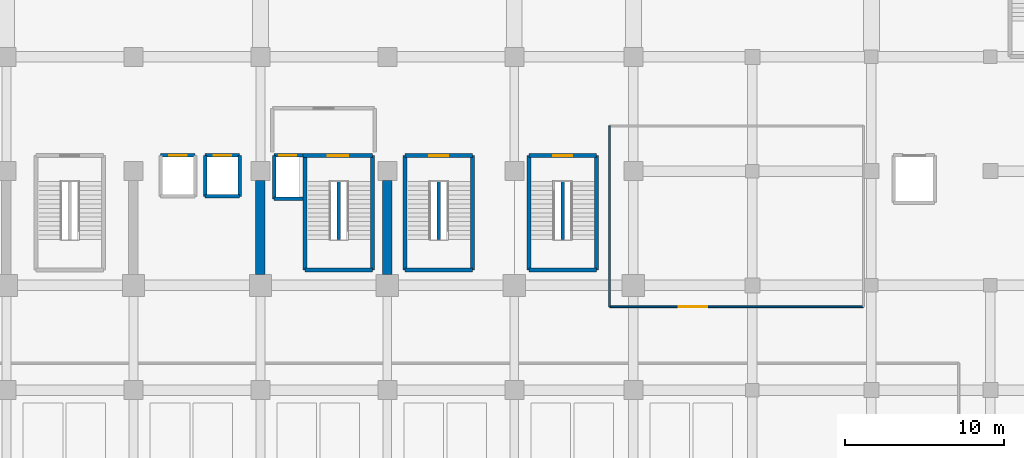
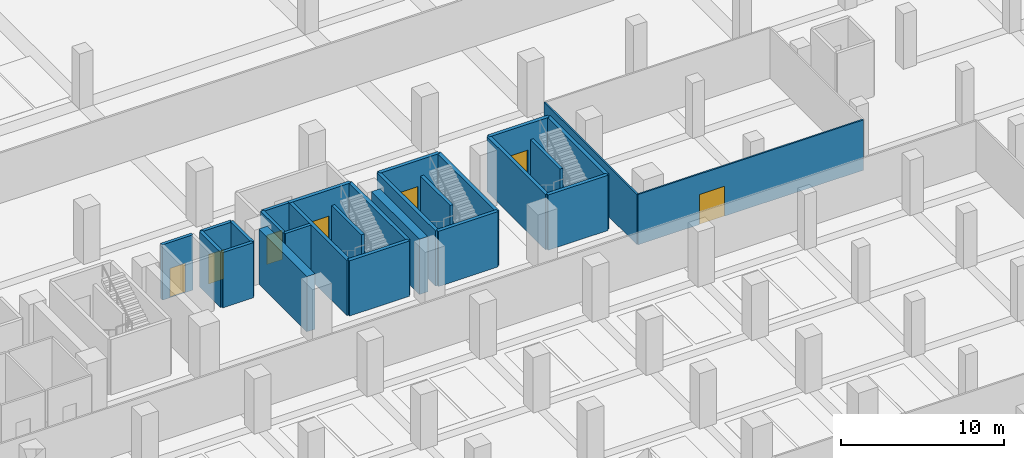
# One storey, part 11 of 25: 27 walls, 7 doors, 7 openings.
"""IFC4 building model written with IfcOpenShell, lengths in metres."""

from ifc_helpers import new_model, si_unit, direction, frame, frame_2d, origin, place, context, subcontext, project, spatial, rectangle, extrude, material, layer, layer_set, type_object, element, fill, save


model = new_model("IFC4")

# Units and contexts
model_context = context("Model", 3, precision=1e-05, world=origin(), true_north=direction((0.0, 1.0)))
body_context = subcontext(model_context, "Body", "Model", "MODEL_VIEW")
ifc_project = project(units=[si_unit("LENGTHUNIT", "METRE"), si_unit("AREAUNIT", "SQUARE_METRE"), si_unit("VOLUMEUNIT", "CUBIC_METRE"), si_unit("PLANEANGLEUNIT", "RADIAN"), si_unit("MASSUNIT", "GRAM", prefix="KILO")], contexts=[model_context])

# Site, building, storey
site_placement = place(None, origin())
site = spatial("IfcSite", under=ifc_project, at=site_placement, CompositionType="ELEMENT")
building_placement = place(site_placement, origin())
building = spatial("IfcBuilding", under=site, at=building_placement, Name="Akrevak Sports Hall", CompositionType="ELEMENT")
storey_placement = place(building_placement, frame((0.0, 0.0, -4.5)))
storey = spatial("IfcBuildingStorey", under=building, at=storey_placement, Name="B01", CompositionType="ELEMENT", Elevation=-4.5)

# Wall, opening, door
ifc_material_1 = material(Name="Lightweight Office Partition", Category="gypsum")
ifc_layer_1 = layer(ifc_material_1, 0.110107421875, Name="Lightweight Office Partition")
ifc_layer_set_1 = layer_set([ifc_layer_1], Name="Lightweight Office Partition")
wall_type_1 = type_object("IfcWallType", Name="ARC-WL-PRT-110", PredefinedType="PARTITIONING", material=ifc_layer_set_1)
wall_1_placement = place(storey_placement, frame((114.0, 53.85009765625, 0.0), z_axis=(0.0, 0.0, 1.0), x_axis=(1.0, 0.0, 0.0)))
wall_1 = element("IfcWall", 1, at=wall_1_placement, inside=storey, type_object=wall_type_1, Name="Interior Partition Athletic Gear & Equipment Storage B01 (S)", PredefinedType="PARTITIONING", context=body_context, shape_type="SweptSolid", body=[
    extrude(rectangle(XDim=16.0, YDim=0.110107421875, at=frame_2d((8.0, 0.0))), origin(), (0.0, 0.0, 1.0), 3.780029296875),
])
opening_1_placement = place(wall_1_placement, frame((4.35009765625, 0.0, 0.0)))
opening_1 = element("IfcOpeningElement", 2, at=opening_1_placement, cuts=wall_1, Name="Opening ID-02", PredefinedType="OPENING", context=body_context, shape_type="SweptSolid", body=[
    extrude(rectangle(XDim=1.800048828125, YDim=2.25, at=frame_2d((0.89990234375, 1.125))), frame((0.0, 0.06689453125, 0.0), z_axis=(0.0, -1.0, 0.0), x_axis=(1.0, 0.0, 0.0)), (0.0, 0.0, 1.0), 0.134033203125),
])
ifc_material_2 = material(Name="Hardwood Oak & Safety Glass", Category="wood")
door_type_1 = type_object("IfcDoorType", Name="ARC-DR-HALL-180x225", OperationType="DOUBLE_DOOR_SINGLE_SWING", PredefinedType="DOOR", material=ifc_material_2)
door_1_placement = place(opening_1_placement, origin())
door_1 = element("IfcDoor", 3, at=door_1_placement, inside=storey, type_object=door_type_1, Name="Door to Athletic Gear & Equipment Storage B01", OperationType="DOUBLE_DOOR_SINGLE_SWING", OverallHeight=2.25, OverallWidth=1.800048828125, PredefinedType="DOOR", context=body_context, shape_type="SweptSolid", body=[
    extrude(rectangle(XDim=1.800048828125, YDim=2.25, at=frame_2d((0.89990234375, 1.125))), frame((0.0, 0.02490234375, 0.0), z_axis=(0.0, -1.0, 0.0), x_axis=(1.0, 0.0, 0.0)), (0.0, 0.0, 1.0), 0.050048828125),
])
fill(opening_1, door_1)

# Walls
wall_2_placement = place(storey_placement, frame((114.0, 53.85009765625, 0.0), z_axis=(0.0, 0.0, 1.0), x_axis=(0.0, 1.0, 0.0)))
element("IfcWall", 4, at=wall_2_placement, inside=storey, type_object=wall_type_1, Name="Interior Partition Athletic Gear & Equipment Storage B01 (W)", PredefinedType="PARTITIONING", context=body_context, shape_type="SweptSolid", body=[
    extrude(rectangle(XDim=11.39990234375, YDim=0.110107421875, at=frame_2d((5.699951171875, 0.0))), origin(), (0.0, 0.0, 1.0), 3.780029296875),
])
ifc_material_3 = material(Name="Concrete C40/50", Category="concrete")
ifc_layer_2 = layer(ifc_material_3, 0.219970703125, Name="Concrete C40/50")
ifc_layer_set_2 = layer_set([ifc_layer_2], Name="Concrete C40/50")
wall_type_2 = type_object("IfcWallType", Name="ARC-WL-PRT-220", PredefinedType="PARTITIONING", material=ifc_layer_set_2)
for number, where, z_axis, x_axis, name in (
    (5, (96.949951171875, 58.094970703125, 0.0), (0.0, 0.0, 1.0), (0.0, 1.0, 0.0), "Stair ST2 Central Spine Wall (B01)"),
    (6, (103.25, 58.094970703125, 0.0), (0.0, 0.0, 1.0), (0.0, 1.0, 0.0), "Stair ST10 Central Spine Wall (B01)"),
    (7, (111.050048828125, 58.094970703125, 0.0), (0.0, 0.0, 1.0), (0.0, 1.0, 0.0), "Stair ST11 Central Spine Wall (B01)"),
):
    element("IfcWall", number, at=place(storey_placement, frame(where, z_axis=z_axis, x_axis=x_axis)), inside=storey, type_object=wall_type_2, Name=name, PredefinedType="PARTITIONING", context=body_context, shape_type="SweptSolid", body=[
        extrude(rectangle(XDim=3.64013671875, YDim=0.219970703125, at=frame_2d((1.820068359375, 0.0))), origin(), (0.0, 0.0, 1.0), 4.14990234375),
    ])
ifc_material_4 = material(Name="Concrete C50/60", Category="concrete")
ifc_layer_3 = layer(ifc_material_4, 0.219970703125, Name="Concrete C50/60")
ifc_layer_set_3 = layer_set([ifc_layer_3], Name="Concrete C50/60")
wall_type_3 = type_object("IfcWallType", Name="ARC-WL-SHAFT-220", PredefinedType="SHEAR", material=ifc_layer_set_3)
wall_3_placement = place(storey_placement, frame((92.860107421875, 60.659912109375, 0.0), z_axis=(0.0, 0.0, 1.0), x_axis=(1.0, 0.0, 0.0)))
element("IfcWall", 8, at=wall_3_placement, inside=storey, type_object=wall_type_3, Name="Lift Shaft LF-FF2 Wall S (B01)", PredefinedType="SHEAR", context=body_context, shape_type="SweptSolid", body=[
    extrude(rectangle(XDim=1.83984375, YDim=0.219970703125, at=frame_2d((0.919921875, 0.0))), origin(), (0.0, 0.0, 1.0), 4.14990234375),
])

# Wall, opening, door
wall_4_placement = place(storey_placement, frame((94.699951171875, 63.389892578125, 0.0), z_axis=(0.0, 0.0, 1.0), x_axis=(-1.0, 0.0, 0.0)))
wall_4 = element("IfcWall", 9, at=wall_4_placement, inside=storey, type_object=wall_type_3, Name="Lift Shaft LF-FF2 Wall N (B01)", PredefinedType="SHEAR", context=body_context, shape_type="SweptSolid", body=[
    extrude(rectangle(XDim=1.83984375, YDim=0.219970703125, at=frame_2d((0.919921875, 0.0))), origin(), (0.0, 0.0, 1.0), 4.14990234375),
])
opening_2_placement = place(wall_4_placement, frame((0.425048828125, 0.0, 0.0)))
opening_2 = element("IfcOpeningElement", 10, at=opening_2_placement, cuts=wall_4, Name="Opening LD-01", PredefinedType="OPENING", context=body_context, shape_type="SweptSolid", body=[
    extrude(rectangle(XDim=1.10009765625, YDim=2.199951171875, at=frame_2d((0.550048828125, 1.10009765625))), frame((0.0, 0.1220703125, 0.0), z_axis=(0.0, -1.0, 0.0), x_axis=(1.0, 0.0, 0.0)), (0.0, 0.0, 1.0), 0.243896484375),
])
ifc_material_5 = material(Name="Brushed Stainless Steel 304", Category="steel")
door_type_2 = type_object("IfcDoorType", Name="ARC-DR-LD-110x220", OperationType="SLIDING_TO_LEFT", PredefinedType="DOOR", material=ifc_material_5)
door_2_placement = place(opening_2_placement, origin())
door_2 = element("IfcDoor", 11, at=door_2_placement, inside=storey, type_object=door_type_2, Name="Lift LF-FF2 Sliding Landing Door (B01)", OperationType="SLIDING_TO_RIGHT", OverallHeight=2.199951171875, OverallWidth=1.10009765625, PredefinedType="DOOR", context=body_context, shape_type="SweptSolid", body=[
    extrude(rectangle(XDim=1.10009765625, YDim=2.199951171875, at=frame_2d((0.550048828125, 1.10009765625))), frame((0.0, 0.02490234375, 0.0), z_axis=(0.0, -1.0, 0.0), x_axis=(1.0, 0.0, 0.0)), (0.0, 0.0, 1.0), 0.050048828125),
])
fill(opening_2, door_2)

# Wall
wall_5_placement = place(storey_placement, frame((92.860107421875, 63.389892578125, 0.0), z_axis=(0.0, 0.0, 1.0), x_axis=(0.0, -1.0, 0.0)))
element("IfcWall", 12, at=wall_5_placement, inside=storey, type_object=wall_type_3, Name="Lift Shaft LF-FF2 Wall W (B01)", PredefinedType="SHEAR", context=body_context, shape_type="SweptSolid", body=[
    extrude(rectangle(XDim=2.72998046875, YDim=0.219970703125, at=frame_2d((1.364990234375, 0.0))), origin(), (0.0, 0.0, 1.0), 4.14990234375),
])

# Wall, opening, door
wall_6_placement = place(storey_placement, frame((87.889892578125, 63.389892578125, 0.0), z_axis=(0.0, 0.0, 1.0), x_axis=(-1.0, 0.0, 0.0)))
wall_6 = element("IfcWall", 13, at=wall_6_placement, inside=storey, type_object=wall_type_3, Name="Lift Shaft LF-P3 Wall N (B01)", PredefinedType="SHEAR", context=body_context, shape_type="SweptSolid", body=[
    extrude(rectangle(XDim=2.179931640625, YDim=0.219970703125, at=frame_2d((1.08984375, 0.0))), origin(), (0.0, 0.0, 1.0), 4.14990234375),
])
opening_3_placement = place(wall_6_placement, frame((0.5400390625, 0.0, 0.0)))
opening_3 = element("IfcOpeningElement", 14, at=opening_3_placement, cuts=wall_6, Name="Opening LD-01", PredefinedType="OPENING", context=body_context, shape_type="SweptSolid", body=[
    extrude(rectangle(XDim=1.10009765625, YDim=2.199951171875, at=frame_2d((0.550048828125, 1.10009765625))), frame((0.0, 0.1220703125, 0.0), z_axis=(0.0, -1.0, 0.0), x_axis=(1.0, 0.0, 0.0)), (0.0, 0.0, 1.0), 0.243896484375),
])
door_3_placement = place(opening_3_placement, origin())
door_3 = element("IfcDoor", 15, at=door_3_placement, inside=storey, type_object=door_type_2, Name="Lift LF-P3 Sliding Landing Door (B01)", OperationType="SLIDING_TO_RIGHT", OverallHeight=2.199951171875, OverallWidth=1.10009765625, PredefinedType="DOOR", context=body_context, shape_type="SweptSolid", body=[
    extrude(rectangle(XDim=1.10009765625, YDim=2.199951171875, at=frame_2d((0.550048828125, 1.10009765625))), frame((0.0, 0.02490234375, 0.0), z_axis=(0.0, -1.0, 0.0), x_axis=(1.0, 0.0, 0.0)), (0.0, 0.0, 1.0), 0.050048828125),
])
fill(opening_3, door_3)

# Wall
wall_7_placement = place(storey_placement, frame((88.510009765625, 60.81005859375, 0.0), z_axis=(0.0, 0.0, 1.0), x_axis=(1.0, 0.0, 0.0)))
element("IfcWall", 16, at=wall_7_placement, inside=storey, type_object=wall_type_3, Name="Lift Shaft LF-P4 Wall S (B01)", PredefinedType="SHEAR", context=body_context, shape_type="SweptSolid", body=[
    extrude(rectangle(XDim=2.179931640625, YDim=0.219970703125, at=frame_2d((1.08984375, 0.0))), origin(), (0.0, 0.0, 1.0), 4.14990234375),
])

# Wall, opening, door
wall_8_placement = place(storey_placement, frame((90.68994140625, 63.389892578125, 0.0), z_axis=(0.0, 0.0, 1.0), x_axis=(-1.0, 0.0, 0.0)))
wall_8 = element("IfcWall", 17, at=wall_8_placement, inside=storey, type_object=wall_type_3, Name="Lift Shaft LF-P4 Wall N (B01)", PredefinedType="SHEAR", context=body_context, shape_type="SweptSolid", body=[
    extrude(rectangle(XDim=2.179931640625, YDim=0.219970703125, at=frame_2d((1.08984375, 0.0))), origin(), (0.0, 0.0, 1.0), 4.14990234375),
])
opening_4_placement = place(wall_8_placement, frame((0.5400390625, 0.0, 0.0)))
opening_4 = element("IfcOpeningElement", 18, at=opening_4_placement, cuts=wall_8, Name="Opening LD-01", PredefinedType="OPENING", context=body_context, shape_type="SweptSolid", body=[
    extrude(rectangle(XDim=1.10009765625, YDim=2.199951171875, at=frame_2d((0.550048828125, 1.10009765625))), frame((0.0, 0.1220703125, 0.0), z_axis=(0.0, -1.0, 0.0), x_axis=(1.0, 0.0, 0.0)), (0.0, 0.0, 1.0), 0.243896484375),
])
door_4_placement = place(opening_4_placement, origin())
door_4 = element("IfcDoor", 19, at=door_4_placement, inside=storey, type_object=door_type_2, Name="Lift LF-P4 Sliding Landing Door (B01)", OperationType="SLIDING_TO_RIGHT", OverallHeight=2.199951171875, OverallWidth=1.10009765625, PredefinedType="DOOR", context=body_context, shape_type="SweptSolid", body=[
    extrude(rectangle(XDim=1.10009765625, YDim=2.199951171875, at=frame_2d((0.550048828125, 1.10009765625))), frame((0.0, 0.02490234375, 0.0), z_axis=(0.0, -1.0, 0.0), x_axis=(1.0, 0.0, 0.0)), (0.0, 0.0, 1.0), 0.050048828125),
])
fill(opening_4, door_4)

# Walls
for number, where, z_axis, x_axis, name in (
    (20, (88.510009765625, 63.389892578125, 0.0), (0.0, 0.0, 1.0), (0.0, -1.0, 0.0), "Lift Shaft LF-P4 Wall W (B01)"),
    (21, (90.68994140625, 60.81005859375, 0.0), (0.0, 0.0, 1.0), (0.0, 1.0, 0.0), "Lift Shaft LF-P4 Wall E (B01)"),
):
    element("IfcWall", number, at=place(storey_placement, frame(where, z_axis=z_axis, x_axis=x_axis)), inside=storey, type_object=wall_type_3, Name=name, PredefinedType="SHEAR", context=body_context, shape_type="SweptSolid", body=[
        extrude(rectangle(XDim=2.579833984375, YDim=0.219970703125, at=frame_2d((1.2900390625, 0.0))), origin(), (0.0, 0.0, 1.0), 4.14990234375),
    ])
ifc_layer_4 = layer(ifc_material_4, 0.60009765625, Name="Concrete C50/60")
ifc_layer_set_4 = layer_set([ifc_layer_4], Name="Concrete C50/60")
wall_type_4 = type_object("IfcWallType", Name="STR-WL-CORE-600", PredefinedType="SHEAR", material=ifc_layer_set_4)
for number, where, z_axis, x_axis, name in (
    (22, (92.0, 55.89990234375, 0.0), (0.0, 0.0, 1.0), (0.0, 1.0, 0.0), "Reinforced Concrete Shear Wall SW-E1 (B01)"),
    (23, (100.0, 55.89990234375, 0.0), (0.0, 0.0, 1.0), (0.0, 1.0, 0.0), "Reinforced Concrete Shear Wall SW-E2 (B01)"),
):
    element("IfcWall", number, at=place(storey_placement, frame(where, z_axis=z_axis, x_axis=x_axis)), inside=storey, type_object=wall_type_4, Name=name, PredefinedType="SHEAR", context=body_context, shape_type="SweptSolid", body=[
        extrude(rectangle(XDim=5.900146484375, YDim=0.60009765625, at=frame_2d((2.9501953125, 0.0))), origin(), (0.0, 0.0, 1.0), 4.14990234375),
    ])
ifc_layer_5 = layer(ifc_material_4, 0.25, Name="Concrete C50/60")
ifc_layer_set_5 = layer_set([ifc_layer_5], Name="Concrete C50/60")
wall_type_5 = type_object("IfcWallType", Name="STR-WL-STAIR-250", PredefinedType="SHEAR", material=ifc_layer_set_5)
wall_9_placement = place(storey_placement, frame((94.824951171875, 56.175048828125, 0.0), z_axis=(0.0, 0.0, 1.0), x_axis=(1.0, 0.0, 0.0)))
element("IfcWall", 24, at=wall_9_placement, inside=storey, type_object=wall_type_5, Name="Stair Core ST2 Shear Wall S (B01)", PredefinedType="SHEAR", context=body_context, shape_type="SweptSolid", body=[
    extrude(rectangle(XDim=4.25, YDim=0.25, at=frame_2d((2.125, 0.0))), origin(), (0.0, 0.0, 1.0), 4.14990234375),
])

# Wall, opening, door
wall_10_placement = place(storey_placement, frame((99.074951171875, 63.375, 0.0), z_axis=(0.0, 0.0, 1.0), x_axis=(-1.0, 0.0, 0.0)))
wall_10 = element("IfcWall", 25, at=wall_10_placement, inside=storey, type_object=wall_type_5, Name="Stair Core ST2 Shear Wall N (B01)", PredefinedType="SHEAR", context=body_context, shape_type="SweptSolid", body=[
    extrude(rectangle(XDim=4.375, YDim=0.25, at=frame_2d((2.1875, 0.0))), origin(), (0.0, 0.0, 1.0), 4.14990234375),
])
opening_5_placement = place(wall_10_placement, frame((1.53759765625, 0.0, 0.0)))
opening_5 = element("IfcOpeningElement", 26, at=opening_5_placement, cuts=wall_10, Name="Opening SD-01", PredefinedType="OPENING", context=body_context, shape_type="SweptSolid", body=[
    extrude(rectangle(XDim=1.300048828125, YDim=2.199951171875, at=frame_2d((0.64990234375, 1.10009765625))), frame((0.0, 0.136962890625, 0.0), z_axis=(0.0, -1.0, 0.0), x_axis=(1.0, 0.0, 0.0)), (0.0, 0.0, 1.0), 0.27392578125),
])
ifc_material_6 = material(Name="Fire-Rated Galvanized Door Steel", Category="steel")
door_type_3 = type_object("IfcDoorType", Name="ARC-DR-STAIR-130x220", OperationType="NOTDEFINED", PredefinedType="DOOR", material=ifc_material_6)
door_5_placement = place(opening_5_placement, origin())
door_5 = element("IfcDoor", 27, at=door_5_placement, inside=storey, type_object=door_type_3, Name="Exit Stair ST2 Door (B01)", OperationType="SINGLE_SWING_RIGHT", OverallHeight=2.199951171875, OverallWidth=1.300048828125, PredefinedType="DOOR", context=body_context, shape_type="SweptSolid", body=[
    extrude(rectangle(XDim=1.300048828125, YDim=2.199951171875, at=frame_2d((0.64990234375, 1.10009765625))), frame((0.0, 0.02490234375, 0.0), z_axis=(0.0, -1.0, 0.0), x_axis=(1.0, 0.0, 0.0)), (0.0, 0.0, 1.0), 0.050048828125),
])
fill(opening_5, door_5)

# Walls
wall_11_placement = place(storey_placement, frame((94.824951171875, 63.25, 0.0), z_axis=(0.0, 0.0, 1.0), x_axis=(0.0, -1.0, 0.0)))
element("IfcWall", 28, at=wall_11_placement, inside=storey, type_object=wall_type_5, Name="Stair Core ST2 Shear Wall W (B01)", PredefinedType="SHEAR", context=body_context, shape_type="SweptSolid", body=[
    extrude(rectangle(XDim=7.074951171875, YDim=0.25, at=frame_2d((3.53759765625, 0.0))), origin(), (0.0, 0.0, 1.0), 4.14990234375),
])
wall_12_placement = place(storey_placement, frame((99.074951171875, 56.175048828125, 0.0), z_axis=(0.0, 0.0, 1.0), x_axis=(0.0, 1.0, 0.0)))
element("IfcWall", 29, at=wall_12_placement, inside=storey, type_object=wall_type_5, Name="Stair Core ST2 Shear Wall E (B01)", PredefinedType="SHEAR", context=body_context, shape_type="SweptSolid", body=[
    extrude(rectangle(XDim=7.199951171875, YDim=0.25, at=frame_2d((3.60009765625, 0.0))), origin(), (0.0, 0.0, 1.0), 4.14990234375),
])
wall_13_placement = place(storey_placement, frame((101.125, 56.175048828125, 0.0), z_axis=(0.0, 0.0, 1.0), x_axis=(1.0, 0.0, 0.0)))
element("IfcWall", 30, at=wall_13_placement, inside=storey, type_object=wall_type_5, Name="Stair Core ST10 Shear Wall S (B01)", PredefinedType="SHEAR", context=body_context, shape_type="SweptSolid", body=[
    extrude(rectangle(XDim=4.25, YDim=0.25, at=frame_2d((2.125, 0.0))), origin(), (0.0, 0.0, 1.0), 4.14990234375),
])

# Wall, opening, door
wall_14_placement = place(storey_placement, frame((105.375, 63.375, 0.0), z_axis=(0.0, 0.0, 1.0), x_axis=(-1.0, 0.0, 0.0)))
wall_14 = element("IfcWall", 31, at=wall_14_placement, inside=storey, type_object=wall_type_5, Name="Stair Core ST10 Shear Wall N (B01)", PredefinedType="SHEAR", context=body_context, shape_type="SweptSolid", body=[
    extrude(rectangle(XDim=4.25, YDim=0.25, at=frame_2d((2.125, 0.0))), origin(), (0.0, 0.0, 1.0), 4.14990234375),
])
opening_6_placement = place(wall_14_placement, frame((1.52490234375, 0.0, 0.0)))
opening_6 = element("IfcOpeningElement", 32, at=opening_6_placement, cuts=wall_14, Name="Opening SD-02", PredefinedType="OPENING", context=body_context, shape_type="SweptSolid", body=[
    extrude(rectangle(XDim=1.199951171875, YDim=2.199951171875, at=frame_2d((0.60009765625, 1.10009765625))), frame((0.0, 0.136962890625, 0.0), z_axis=(0.0, -1.0, 0.0), x_axis=(1.0, 0.0, 0.0)), (0.0, 0.0, 1.0), 0.27392578125),
])
door_type_4 = type_object("IfcDoorType", Name="ARC-DR-STAIR-120x220", OperationType="NOTDEFINED", PredefinedType="DOOR", material=ifc_material_6)
door_6_placement = place(opening_6_placement, origin())
door_6 = element("IfcDoor", 33, at=door_6_placement, inside=storey, type_object=door_type_4, Name="Exit Stair ST10 Door (B01)", OperationType="SINGLE_SWING_RIGHT", OverallHeight=2.199951171875, OverallWidth=1.199951171875, PredefinedType="DOOR", context=body_context, shape_type="SweptSolid", body=[
    extrude(rectangle(XDim=1.199951171875, YDim=2.199951171875, at=frame_2d((0.60009765625, 1.10009765625))), frame((0.0, 0.02490234375, 0.0), z_axis=(0.0, -1.0, 0.0), x_axis=(1.0, 0.0, 0.0)), (0.0, 0.0, 1.0), 0.050048828125),
])
fill(opening_6, door_6)

# Walls
for number, where, z_axis, x_axis, name in (
    (34, (101.125, 63.375, 0.0), (0.0, 0.0, 1.0), (0.0, -1.0, 0.0), "Stair Core ST10 Shear Wall W (B01)"),
    (35, (105.375, 56.175048828125, 0.0), (0.0, 0.0, 1.0), (0.0, 1.0, 0.0), "Stair Core ST10 Shear Wall E (B01)"),
):
    element("IfcWall", number, at=place(storey_placement, frame(where, z_axis=z_axis, x_axis=x_axis)), inside=storey, type_object=wall_type_5, Name=name, PredefinedType="SHEAR", context=body_context, shape_type="SweptSolid", body=[
        extrude(rectangle(XDim=7.199951171875, YDim=0.25, at=frame_2d((3.60009765625, 0.0))), origin(), (0.0, 0.0, 1.0), 4.14990234375),
    ])
wall_15_placement = place(storey_placement, frame((108.925048828125, 56.175048828125, 0.0), z_axis=(0.0, 0.0, 1.0), x_axis=(1.0, 0.0, 0.0)))
element("IfcWall", 36, at=wall_15_placement, inside=storey, type_object=wall_type_5, Name="Stair Core ST11 Shear Wall S (B01)", PredefinedType="SHEAR", context=body_context, shape_type="SweptSolid", body=[
    extrude(rectangle(XDim=4.25, YDim=0.25, at=frame_2d((2.125, 0.0))), origin(), (0.0, 0.0, 1.0), 4.14990234375),
])

# Wall, opening, door
wall_16_placement = place(storey_placement, frame((113.175048828125, 63.375, 0.0), z_axis=(0.0, 0.0, 1.0), x_axis=(-1.0, 0.0, 0.0)))
wall_16 = element("IfcWall", 37, at=wall_16_placement, inside=storey, type_object=wall_type_5, Name="Stair Core ST11 Shear Wall N (B01)", PredefinedType="SHEAR", context=body_context, shape_type="SweptSolid", body=[
    extrude(rectangle(XDim=4.25, YDim=0.25, at=frame_2d((2.125, 0.0))), origin(), (0.0, 0.0, 1.0), 4.14990234375),
])
opening_7_placement = place(wall_16_placement, frame((1.52490234375, 0.0, 0.0)))
opening_7 = element("IfcOpeningElement", 38, at=opening_7_placement, cuts=wall_16, Name="Opening SD-02", PredefinedType="OPENING", context=body_context, shape_type="SweptSolid", body=[
    extrude(rectangle(XDim=1.199951171875, YDim=2.199951171875, at=frame_2d((0.60009765625, 1.10009765625))), frame((0.0, 0.136962890625, 0.0), z_axis=(0.0, -1.0, 0.0), x_axis=(1.0, 0.0, 0.0)), (0.0, 0.0, 1.0), 0.27392578125),
])
door_7_placement = place(opening_7_placement, origin())
door_7 = element("IfcDoor", 39, at=door_7_placement, inside=storey, type_object=door_type_4, Name="Exit Stair ST11 Door (B01)", OperationType="SINGLE_SWING_LEFT", OverallHeight=2.199951171875, OverallWidth=1.199951171875, PredefinedType="DOOR", context=body_context, shape_type="SweptSolid", body=[
    extrude(rectangle(XDim=1.199951171875, YDim=2.199951171875, at=frame_2d((0.60009765625, 1.10009765625))), frame((0.0, 0.02490234375, 0.0), z_axis=(0.0, -1.0, 0.0), x_axis=(1.0, 0.0, 0.0)), (0.0, 0.0, 1.0), 0.050048828125),
])
fill(opening_7, door_7)

# Walls
for number, where, z_axis, x_axis, name in (
    (40, (108.925048828125, 63.375, 0.0), (0.0, 0.0, 1.0), (0.0, -1.0, 0.0), "Stair Core ST11 Shear Wall W (B01)"),
    (41, (113.175048828125, 56.175048828125, 0.0), (0.0, 0.0, 1.0), (0.0, 1.0, 0.0), "Stair Core ST11 Shear Wall E (B01)"),
):
    element("IfcWall", number, at=place(storey_placement, frame(where, z_axis=z_axis, x_axis=x_axis)), inside=storey, type_object=wall_type_5, Name=name, PredefinedType="SHEAR", context=body_context, shape_type="SweptSolid", body=[
        extrude(rectangle(XDim=7.199951171875, YDim=0.25, at=frame_2d((3.60009765625, 0.0))), origin(), (0.0, 0.0, 1.0), 4.14990234375),
    ])

save(model, "model.ifc")
